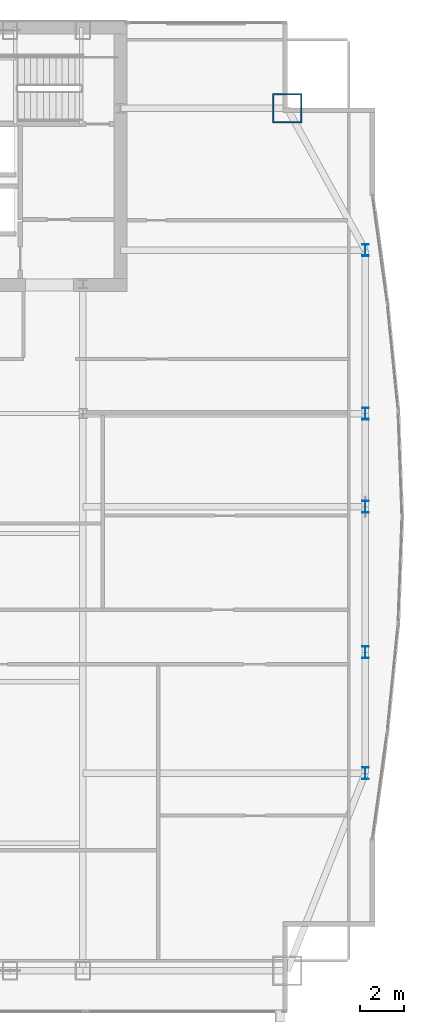
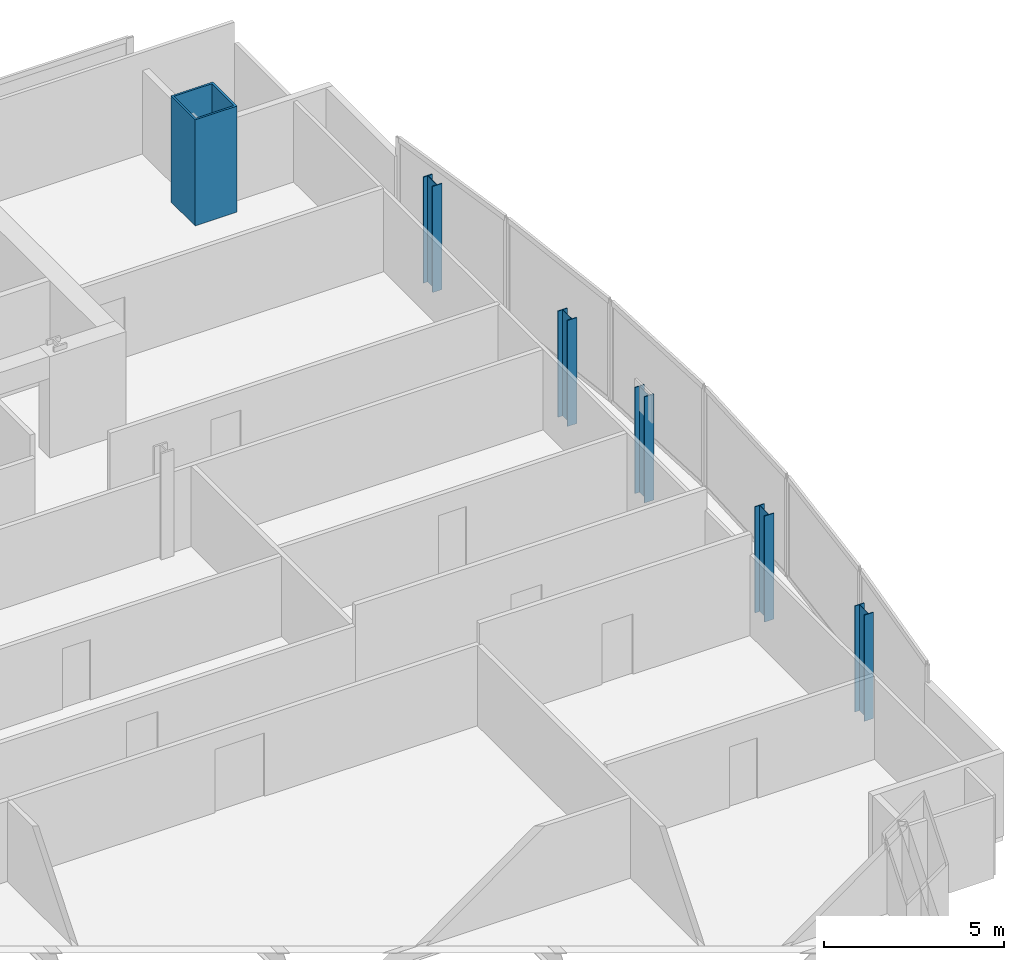
# One storey, part 4 of 29: 6 columns.
"""IFC4 building model written with IfcOpenShell, lengths in metres."""

from ifc_helpers import new_model, si_unit, direction, frame, origin, origin_2d, place, context, subcontext, project, spatial, hollow_rectangle, i_section, extrude, material, material_profile, profile_set, type_object, element, save


model = new_model("IFC4")

# Units and contexts
model_context = context("Model", 3, precision=1e-05, world=origin(), true_north=direction((0.0, 1.0)))
body_context = subcontext(model_context, "Body", "Model", "MODEL_VIEW")
ifc_project = project(units=[si_unit("LENGTHUNIT", "METRE"), si_unit("AREAUNIT", "SQUARE_METRE"), si_unit("VOLUMEUNIT", "CUBIC_METRE"), si_unit("PLANEANGLEUNIT", "RADIAN"), si_unit("MASSUNIT", "GRAM", prefix="KILO")], contexts=[model_context])

# Site, building, storey
site_placement = place(None, origin())
site = spatial("IfcSite", under=ifc_project, at=site_placement, CompositionType="ELEMENT")
building_placement = place(site_placement, origin())
building = spatial("IfcBuilding", under=site, at=building_placement, Name="Khoronbel Lancet Exchange", CompositionType="ELEMENT")
storey_placement = place(building_placement, frame((0.0, 0.0, 177.0)))
storey = spatial("IfcBuildingStorey", under=building, at=storey_placement, Name="L44", CompositionType="ELEMENT", Elevation=177.0)

# Columns
ifc_material_1 = material(Name="Steel S355", Category="steel")
ifc_material_profile_1 = material_profile(ifc_material_1, i_section(OverallWidth=0.300048828125, OverallDepth=0.550048828125, WebThickness=0.014892578125, FlangeThickness=0.029052734375, at=origin_2d()), Name="HEB 550")
ifc_profile_set_1 = profile_set([ifc_material_profile_1], Name="Steel S355")
column_type_1 = type_object("IfcColumnType", Name="COL-LC1", PredefinedType="COLUMN", material=ifc_profile_set_1)
for number, where, z_axis, x_axis, name in (
    (1, (67.6298828125, 19.199951171875, 0.0), (0.0, 0.0, 1.0), (1.0, 0.0, 0.0), "Structural column EC-1 L44"),
    (2, (67.6298828125, 24.75, 0.0), (0.0, 0.0, 1.0), (1.0, 0.0, 0.0), "Structural column EC-2 L44"),
    (3, (67.6298828125, 31.425048828125, 0.0), (0.0, 0.0, 1.0), (1.0, 0.0, 0.0), "Structural column EC-M L44"),
    (4, (67.6298828125, 35.699951171875, 0.0), (0.0, 0.0, 1.0), (1.0, 0.0, 0.0), "Structural column EC-3 L44"),
    (5, (67.6298828125, 43.199951171875, 0.0), (0.0, 0.0, 1.0), (1.0, 0.0, 0.0), "Structural column EC-4 L44"),
):
    element("IfcColumn", number, at=place(storey_placement, frame(where, z_axis=z_axis, x_axis=x_axis)), inside=storey, type_object=column_type_1, Name=name, PredefinedType="COLUMN", context=body_context, shape_type="SweptSolid", body=[
        extrude(i_section(OverallWidth=0.300048828125, OverallDepth=0.550048828125, WebThickness=0.014892578125, FlangeThickness=0.029052734375, at=origin_2d()), origin(), (0.0, 0.0, 1.0), 3.60009765625),
    ])
ifc_material_2 = material(Name="Steel S460", Category="steel")
ifc_material_profile_2 = material_profile(ifc_material_2, hollow_rectangle(XDim=1.35009765625, YDim=1.35009765625, WallThickness=0.06494140625, at=origin_2d()), Name="BOX 1350x1350x65")
ifc_profile_set_2 = profile_set([ifc_material_profile_2], Name="Steel S460")
column_type_2 = type_object("IfcColumnType", Name="COL-MC4", PredefinedType="COLUMN", material=ifc_profile_set_2)
column_placement = place(storey_placement, frame((64.050048828125, 49.699951171875, 0.0), z_axis=(0.0, 0.0, 1.0), x_axis=(1.0, 0.0, 0.0)))
element("IfcColumn", 6, at=column_placement, inside=storey, type_object=column_type_2, Name="Structural column MC-NE L44", PredefinedType="COLUMN", context=body_context, shape_type="SweptSolid", body=[
    extrude(hollow_rectangle(XDim=1.35009765625, YDim=1.35009765625, WallThickness=0.06494140625, at=origin_2d()), origin(), (0.0, 0.0, 1.0), 3.60009765625),
])

save(model, "model.ifc")
